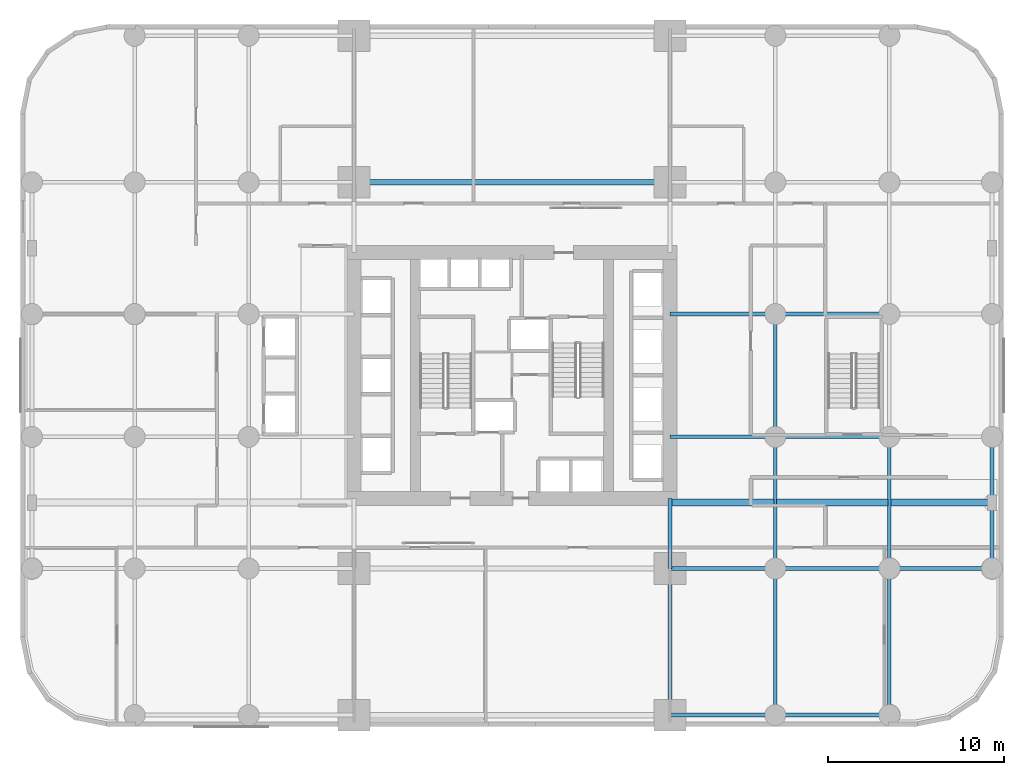
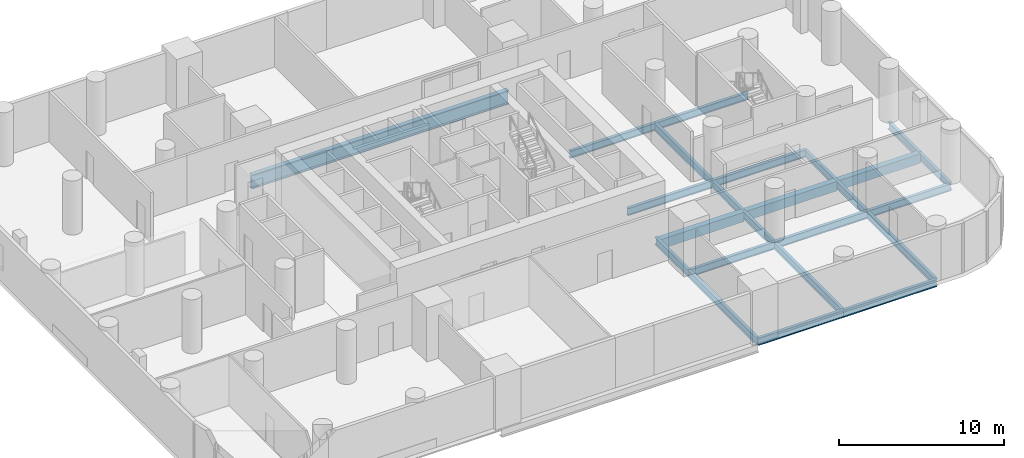
# One storey, part 4 of 12: 22 beams.
"""IFC4 building model written with IfcOpenShell, lengths in metres."""

from ifc_helpers import new_model, si_unit, direction, frame, origin, origin_2d, place, context, subcontext, project, spatial, rectangle, i_section, extrude, material, material_profile, profile_set, type_object, element, save


model = new_model("IFC4")

# Units and contexts
model_context = context("Model", 3, precision=1e-05, world=origin(), true_north=direction((0.0, 1.0)))
body_context = subcontext(model_context, "Body", "Model", "MODEL_VIEW")
ifc_project = project(units=[si_unit("LENGTHUNIT", "METRE"), si_unit("AREAUNIT", "SQUARE_METRE"), si_unit("VOLUMEUNIT", "CUBIC_METRE"), si_unit("PLANEANGLEUNIT", "RADIAN"), si_unit("MASSUNIT", "GRAM", prefix="KILO")], contexts=[model_context])

# Site, building, storey
site_placement = place(None, origin())
site = spatial("IfcSite", under=ifc_project, at=site_placement, CompositionType="ELEMENT")
building_placement = place(site_placement, origin())
building = spatial("IfcBuilding", under=site, at=building_placement, Name="Veldorim Arch Residences", CompositionType="ELEMENT")
storey_placement = place(building_placement, frame((0.0, 0.0, 12.0)))
storey = spatial("IfcBuildingStorey", under=building, at=storey_placement, Name="L03", CompositionType="ELEMENT", Elevation=12.0)

# Beams
ifc_material_1 = material(Name="Concrete C50/60", Category="concrete")
ifc_material_profile_1 = material_profile(ifc_material_1, rectangle(XDim=0.39990234375, YDim=0.699951171875, at=origin_2d()), Name="RC_RECT_400x700")
ifc_profile_set_1 = profile_set([ifc_material_profile_1], Name="Concrete C50/60")
beam_type_1 = type_object("IfcBeamType", Name="Reinforced Concrete Lintel RC_RECT_400x700", PredefinedType="LINTEL", material=ifc_profile_set_1)
beam_1_placement = place(storey_placement, frame((41.080078125, 16.75, -0.6298828125), z_axis=(1.0, 0.0, 0.0), x_axis=(0.0, 1.0, 0.0)))
element("IfcBeam", 1, at=beam_1_placement, inside=storey, type_object=beam_type_1, Name="L03 clinic opening structural lintel 04", PredefinedType="LINTEL", context=body_context, shape_type="SweptSolid", body=[
    extrude(rectangle(XDim=0.39990234375, YDim=0.699951171875, at=origin_2d()), origin(), (0.0, 0.0, 1.0), 5.83984375),
])
beam_2_placement = place(storey_placement, frame((47.080078125, 16.75, -0.6298828125), z_axis=(1.0, 0.0, 0.0), x_axis=(0.0, 1.0, 0.0)))
element("IfcBeam", 2, at=beam_2_placement, inside=storey, type_object=beam_type_1, Name="L03 clinic opening structural lintel 05", PredefinedType="LINTEL", context=body_context, shape_type="SweptSolid", body=[
    extrude(rectangle(XDim=0.39990234375, YDim=0.699951171875, at=origin_2d()), origin(), (0.0, 0.0, 1.0), 6.33984375),
])
beam_3_placement = place(storey_placement, frame((53.580078125, 16.75, -0.6298828125), z_axis=(1.0, 0.0, 0.0), x_axis=(0.0, 1.0, 0.0)))
element("IfcBeam", 3, at=beam_3_placement, inside=storey, type_object=beam_type_1, Name="L03 clinic opening structural lintel 06", PredefinedType="LINTEL", context=body_context, shape_type="SweptSolid", body=[
    extrude(rectangle(XDim=0.39990234375, YDim=0.699951171875, at=origin_2d()), origin(), (0.0, 0.0, 1.0), 5.68994140625),
])
ifc_material_2 = material(Name="Steel S355", Category="steel")
ifc_material_profile_2 = material_profile(ifc_material_2, i_section(OverallWidth=0.2099609375, OverallDepth=0.53662109375, WebThickness=0.0107421875, FlangeThickness=0.017333984375, at=origin_2d()), Name="UB533x210x101")
ifc_profile_set_2 = profile_set([ifc_material_profile_2], Name="Steel S355")
beam_type_2 = type_object("IfcBeamType", Name="Structural Steel Beam UB533x210x101", PredefinedType="BEAM", material=ifc_profile_set_2)
beam_4_placement = place(storey_placement, frame((41.0, 4.64990234375, -0.54833984375), z_axis=(0.0, 1.0, 0.0), x_axis=(-1.0, 0.0, 0.0)))
element("IfcBeam", 4, at=beam_4_placement, inside=storey, type_object=beam_type_2, Name="L03 north-south floor beam (X=41.0, 4.7-13.0)", PredefinedType="BEAM", context=body_context, shape_type="SweptSolid", body=[
    extrude(i_section(OverallWidth=0.2099609375, OverallDepth=0.53662109375, WebThickness=0.0107421875, FlangeThickness=0.017333984375, at=origin_2d()), origin(), (0.0, 0.0, 1.0), 8.35009765625),
])
beam_5_placement = place(storey_placement, frame((41.0, 13.0, -0.54833984375), z_axis=(0.0, 1.0, 0.0), x_axis=(-1.0, 0.0, 0.0)))
element("IfcBeam", 5, at=beam_5_placement, inside=storey, type_object=beam_type_2, Name="L03 north-south floor beam (X=41.0, 13.0-17.0)", PredefinedType="BEAM", context=body_context, shape_type="SweptSolid", body=[
    extrude(i_section(OverallWidth=0.2099609375, OverallDepth=0.53662109375, WebThickness=0.0107421875, FlangeThickness=0.017333984375, at=origin_2d()), origin(), (0.0, 0.0, 1.0), 4.0),
])
beam_6_placement = place(storey_placement, frame((47.0, 4.64990234375, -0.54833984375), z_axis=(0.0, 1.0, 0.0), x_axis=(-1.0, 0.0, 0.0)))
element("IfcBeam", 6, at=beam_6_placement, inside=storey, type_object=beam_type_2, Name="L03 north-south floor beam (X=47.0, 4.7-13.0)", PredefinedType="BEAM", context=body_context, shape_type="SweptSolid", body=[
    extrude(i_section(OverallWidth=0.2099609375, OverallDepth=0.53662109375, WebThickness=0.0107421875, FlangeThickness=0.017333984375, at=origin_2d()), origin(), (0.0, 0.0, 1.0), 8.35009765625),
])
beam_7_placement = place(storey_placement, frame((47.0, 13.0, -0.54833984375), z_axis=(0.0, 1.0, 0.0), x_axis=(-1.0, 0.0, 0.0)))
element("IfcBeam", 7, at=beam_7_placement, inside=storey, type_object=beam_type_2, Name="L03 north-south floor beam (X=47.0, 13.0-20.5)", PredefinedType="BEAM", context=body_context, shape_type="SweptSolid", body=[
    extrude(i_section(OverallWidth=0.2099609375, OverallDepth=0.53662109375, WebThickness=0.0107421875, FlangeThickness=0.017333984375, at=origin_2d()), origin(), (0.0, 0.0, 1.0), 7.5),
])
beam_8_placement = place(storey_placement, frame((47.0, 20.5, -0.54833984375), z_axis=(0.0, 1.0, 0.0), x_axis=(-1.0, 0.0, 0.0)))
element("IfcBeam", 8, at=beam_8_placement, inside=storey, type_object=beam_type_2, Name="L03 north-south floor beam (X=47.0, 20.5-27.5)", PredefinedType="BEAM", context=body_context, shape_type="SweptSolid", body=[
    extrude(i_section(OverallWidth=0.2099609375, OverallDepth=0.53662109375, WebThickness=0.0107421875, FlangeThickness=0.017333984375, at=origin_2d()), origin(), (0.0, 0.0, 1.0), 7.0),
])
beam_9_placement = place(storey_placement, frame((53.5, 4.64990234375, -0.54833984375), z_axis=(0.0, 1.0, 0.0), x_axis=(-1.0, 0.0, 0.0)))
element("IfcBeam", 9, at=beam_9_placement, inside=storey, type_object=beam_type_2, Name="L03 north-south floor beam (X=53.5, 4.7-13.0)", PredefinedType="BEAM", context=body_context, shape_type="SweptSolid", body=[
    extrude(i_section(OverallWidth=0.2099609375, OverallDepth=0.53662109375, WebThickness=0.0107421875, FlangeThickness=0.017333984375, at=origin_2d()), origin(), (0.0, 0.0, 1.0), 8.35009765625),
])
beam_10_placement = place(storey_placement, frame((53.5, 13.0, -0.54833984375), z_axis=(0.0, 1.0, 0.0), x_axis=(-1.0, 0.0, 0.0)))
element("IfcBeam", 10, at=beam_10_placement, inside=storey, type_object=beam_type_2, Name="L03 north-south floor beam (X=53.5, 13.0-20.5)", PredefinedType="BEAM", context=body_context, shape_type="SweptSolid", body=[
    extrude(i_section(OverallWidth=0.2099609375, OverallDepth=0.53662109375, WebThickness=0.0107421875, FlangeThickness=0.017333984375, at=origin_2d()), origin(), (0.0, 0.0, 1.0), 7.5),
])
for number, where, z_axis, x_axis, name in (
    (11, (59.35009765625, 13.0, -0.54833984375), (0.0, 1.0, 0.0), (-1.0, 0.0, 0.0), "L03 north-south floor beam (X=59.4, 13.0-16.8)"),
    (12, (59.35009765625, 16.75, -0.54833984375), (0.0, 1.0, 0.0), (-1.0, 0.0, 0.0), "L03 north-south floor beam (X=59.4, 16.8-20.5)"),
):
    element("IfcBeam", number, at=place(storey_placement, frame(where, z_axis=z_axis, x_axis=x_axis)), inside=storey, type_object=beam_type_2, Name=name, PredefinedType="BEAM", context=body_context, shape_type="SweptSolid", body=[
        extrude(i_section(OverallWidth=0.2099609375, OverallDepth=0.53662109375, WebThickness=0.0107421875, FlangeThickness=0.017333984375, at=origin_2d()), origin(), (0.0, 0.0, 1.0), 3.75),
    ])
ifc_material_3 = material(Name="Steel S355", Category="steel")
ifc_material_profile_3 = material_profile(ifc_material_3, i_section(OverallWidth=0.2119140625, OverallDepth=0.54443359375, WebThickness=0.0126953125, FlangeThickness=0.021240234375, at=origin_2d()), Name="UB533x210x122")
ifc_profile_set_3 = profile_set([ifc_material_profile_3], Name="Steel S355")
beam_type_3 = type_object("IfcBeamType", Name="Structural Steel Beam UB533x210x122", PredefinedType="BEAM", material=ifc_profile_set_3)
beam_11_placement = place(storey_placement, frame((41.0, 4.64990234375, -0.55224609375), z_axis=(1.0, 0.0, 0.0), x_axis=(0.0, 1.0, 0.0)))
element("IfcBeam", 13, at=beam_11_placement, inside=storey, type_object=beam_type_3, Name="L03 east-west floor beam (41.0-47.0, Y=4.7)", PredefinedType="BEAM", context=body_context, shape_type="SweptSolid", body=[
    extrude(i_section(OverallWidth=0.2119140625, OverallDepth=0.54443359375, WebThickness=0.0126953125, FlangeThickness=0.021240234375, at=origin_2d()), origin(), (0.0, 0.0, 1.0), 6.0),
])
beam_12_placement = place(storey_placement, frame((47.0, 4.64990234375, -0.55224609375), z_axis=(1.0, 0.0, 0.0), x_axis=(0.0, 1.0, 0.0)))
element("IfcBeam", 14, at=beam_12_placement, inside=storey, type_object=beam_type_3, Name="L03 east-west floor beam (47.0-53.5, Y=4.7)", PredefinedType="BEAM", context=body_context, shape_type="SweptSolid", body=[
    extrude(i_section(OverallWidth=0.2119140625, OverallDepth=0.54443359375, WebThickness=0.0126953125, FlangeThickness=0.021240234375, at=origin_2d()), origin(), (0.0, 0.0, 1.0), 6.5),
])
beam_13_placement = place(storey_placement, frame((41.0, 13.0, -0.55224609375), z_axis=(1.0, 0.0, 0.0), x_axis=(0.0, 1.0, 0.0)))
element("IfcBeam", 15, at=beam_13_placement, inside=storey, type_object=beam_type_3, Name="L03 east-west floor beam (41.0-47.0, Y=13.0)", PredefinedType="BEAM", context=body_context, shape_type="SweptSolid", body=[
    extrude(i_section(OverallWidth=0.2119140625, OverallDepth=0.54443359375, WebThickness=0.0126953125, FlangeThickness=0.021240234375, at=origin_2d()), origin(), (0.0, 0.0, 1.0), 6.0),
])
beam_14_placement = place(storey_placement, frame((47.0, 13.0, -0.55224609375), z_axis=(1.0, 0.0, 0.0), x_axis=(0.0, 1.0, 0.0)))
element("IfcBeam", 16, at=beam_14_placement, inside=storey, type_object=beam_type_3, Name="L03 east-west floor beam (47.0-53.5, Y=13.0)", PredefinedType="BEAM", context=body_context, shape_type="SweptSolid", body=[
    extrude(i_section(OverallWidth=0.2119140625, OverallDepth=0.54443359375, WebThickness=0.0126953125, FlangeThickness=0.021240234375, at=origin_2d()), origin(), (0.0, 0.0, 1.0), 6.5),
])
beam_15_placement = place(storey_placement, frame((53.5, 13.0, -0.55224609375), z_axis=(1.0, 0.0, 0.0), x_axis=(0.0, 1.0, 0.0)))
element("IfcBeam", 17, at=beam_15_placement, inside=storey, type_object=beam_type_3, Name="L03 east-west floor beam (53.5-59.4, Y=13.0)", PredefinedType="BEAM", context=body_context, shape_type="SweptSolid", body=[
    extrude(i_section(OverallWidth=0.2119140625, OverallDepth=0.54443359375, WebThickness=0.0126953125, FlangeThickness=0.021240234375, at=origin_2d()), origin(), (0.0, 0.0, 1.0), 5.85009765625),
])
beam_16_placement = place(storey_placement, frame((41.0, 20.5, -0.55224609375), z_axis=(1.0, 0.0, 0.0), x_axis=(0.0, 1.0, 0.0)))
element("IfcBeam", 18, at=beam_16_placement, inside=storey, type_object=beam_type_3, Name="L03 east-west floor beam (41.0-47.0, Y=20.5)", PredefinedType="BEAM", context=body_context, shape_type="SweptSolid", body=[
    extrude(i_section(OverallWidth=0.2119140625, OverallDepth=0.54443359375, WebThickness=0.0126953125, FlangeThickness=0.021240234375, at=origin_2d()), origin(), (0.0, 0.0, 1.0), 6.0),
])
beam_17_placement = place(storey_placement, frame((47.0, 20.5, -0.55224609375), z_axis=(1.0, 0.0, 0.0), x_axis=(0.0, 1.0, 0.0)))
element("IfcBeam", 19, at=beam_17_placement, inside=storey, type_object=beam_type_3, Name="L03 east-west floor beam (47.0-53.5, Y=20.5)", PredefinedType="BEAM", context=body_context, shape_type="SweptSolid", body=[
    extrude(i_section(OverallWidth=0.2119140625, OverallDepth=0.54443359375, WebThickness=0.0126953125, FlangeThickness=0.021240234375, at=origin_2d()), origin(), (0.0, 0.0, 1.0), 6.5),
])
beam_18_placement = place(storey_placement, frame((41.0, 27.5, -0.55224609375), z_axis=(1.0, 0.0, 0.0), x_axis=(0.0, 1.0, 0.0)))
element("IfcBeam", 20, at=beam_18_placement, inside=storey, type_object=beam_type_3, Name="L03 east-west floor beam (41.0-47.0, Y=27.5)", PredefinedType="BEAM", context=body_context, shape_type="SweptSolid", body=[
    extrude(i_section(OverallWidth=0.2119140625, OverallDepth=0.54443359375, WebThickness=0.0126953125, FlangeThickness=0.021240234375, at=origin_2d()), origin(), (0.0, 0.0, 1.0), 6.0),
])
beam_19_placement = place(storey_placement, frame((47.0, 27.5, -0.55224609375), z_axis=(1.0, 0.0, 0.0), x_axis=(0.0, 1.0, 0.0)))
element("IfcBeam", 21, at=beam_19_placement, inside=storey, type_object=beam_type_3, Name="L03 east-west floor beam (47.0-53.5, Y=27.5)", PredefinedType="BEAM", context=body_context, shape_type="SweptSolid", body=[
    extrude(i_section(OverallWidth=0.2119140625, OverallDepth=0.54443359375, WebThickness=0.0126953125, FlangeThickness=0.021240234375, at=origin_2d()), origin(), (0.0, 0.0, 1.0), 6.5),
])
ifc_material_4 = material(Name="Steel S460", Category="steel")
ifc_material_profile_4 = material_profile(ifc_material_4, i_section(OverallWidth=0.305419921875, OverallDepth=1.02587890625, WebThickness=0.02685546875, FlangeThickness=0.053955078125, at=origin_2d()), Name="UB1016x305x437")
ifc_profile_set_4 = profile_set([ifc_material_profile_4], Name="Steel S460")
beam_type_4 = type_object("IfcBeamType", Name="Structural Steel GIRDER UB1016x305x437", PredefinedType="USERDEFINED", material=ifc_profile_set_4)
beam_20_placement = place(storey_placement, frame((23.0, 35.0, -0.79296875), z_axis=(1.0, 0.0, 0.0), x_axis=(0.0, 1.0, 0.0)))
element("IfcBeam", 22, at=beam_20_placement, inside=storey, type_object=beam_type_4, Name="L03 east-west floor beam (23.0-41.0, Y=35.0)", ObjectType="GIRDER", PredefinedType="USERDEFINED", context=body_context, shape_type="SweptSolid", body=[
    extrude(i_section(OverallWidth=0.305419921875, OverallDepth=1.02587890625, WebThickness=0.02685546875, FlangeThickness=0.053955078125, at=origin_2d()), origin(), (0.0, 0.0, 1.0), 18.0),
])

save(model, "model.ifc")
